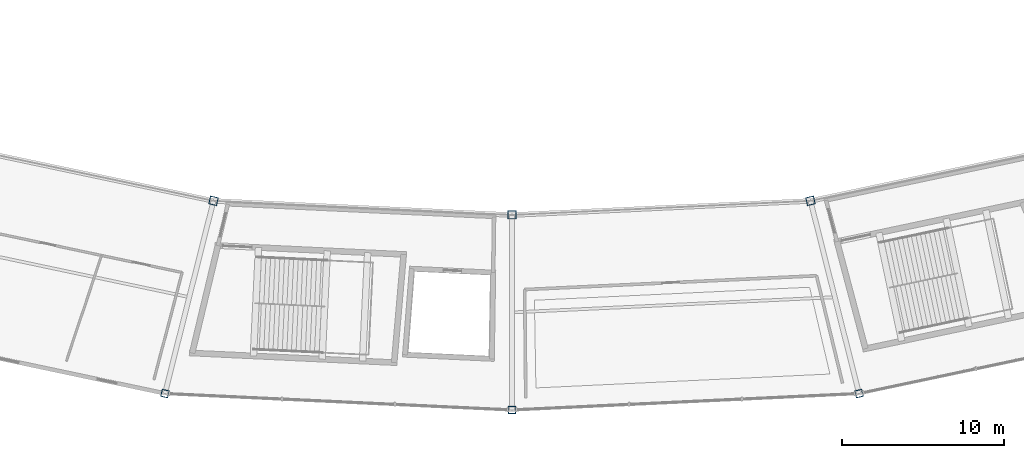
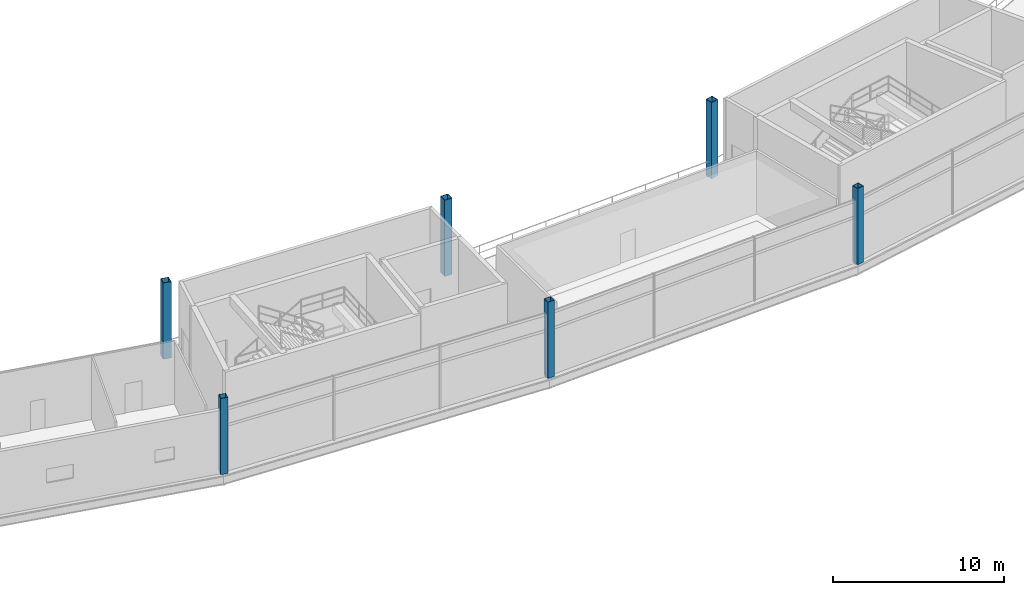
# One storey, part 3 of 103: 6 columns.
"""IFC4 building model written with IfcOpenShell, lengths in metres."""

from ifc_helpers import new_model, si_unit, direction, frame, origin, origin_2d, place, context, subcontext, project, spatial, hollow_rectangle, extrude, material, material_profile, profile_set, type_object, element, save


model = new_model("IFC4")

# Units and contexts
model_context = context("Model", 3, precision=1e-05, world=origin(), true_north=direction((0.0, 1.0)))
body_context = subcontext(model_context, "Body", "Model", "MODEL_VIEW")
ifc_project = project(units=[si_unit("LENGTHUNIT", "METRE"), si_unit("AREAUNIT", "SQUARE_METRE"), si_unit("VOLUMEUNIT", "CUBIC_METRE"), si_unit("PLANEANGLEUNIT", "RADIAN"), si_unit("MASSUNIT", "GRAM", prefix="KILO")], contexts=[model_context])

# Site, building, storey
site_placement = place(None, origin())
site = spatial("IfcSite", under=ifc_project, at=site_placement, CompositionType="ELEMENT")
building_placement = place(site_placement, origin())
building = spatial("IfcBuilding", under=site, at=building_placement, Name="Kazemori Nagisa Stadium", CompositionType="ELEMENT")
storey_placement = place(building_placement, frame((0.0, 0.0, 25.840087890625)))
storey = spatial("IfcBuildingStorey", under=building, at=storey_placement, Name="L05", CompositionType="ELEMENT", Elevation=25.840087890625)

# Columns
ifc_material = material(Name="Steel STKR490", Category="steel")
ifc_material_profile_1 = material_profile(ifc_material, hollow_rectangle(XDim=0.449951171875, YDim=0.449951171875, WallThickness=0.02197265625, at=origin_2d()), Name="SHS-450x450x22")
ifc_profile_set_1 = profile_set([ifc_material_profile_1], Name="Steel STKR490")
column_type_1 = type_object("IfcColumnType", Name="Column_C-ST450", PredefinedType="COLUMN", material=ifc_profile_set_1)
for number, where, z_axis, x_axis, name in (
    (1, (101.572265625, 17.01318359375, 0.0), (0.0, 0.0, 1.0), (-0.222520933954, -0.974927912182, 0.0), "Column C-ST450 L05 R3-21"),
    (2, (123.0, 16.0, 0.0), (0.0, 0.0, 1.0), (0.0, -1.0, 0.0), "Column C-ST450 L05 R3-22"),
    (3, (144.427734375, 17.01318359375, 0.0), (0.0, 0.0, 1.0), (0.222520933954, -0.974927912182, 0.0), "Column C-ST450 L05 R3-23"),
):
    element("IfcColumn", number, at=place(storey_placement, frame(where, z_axis=z_axis, x_axis=x_axis)), inside=storey, type_object=column_type_1, Name=name, PredefinedType="COLUMN", context=body_context, shape_type="SweptSolid", body=[
        extrude(hollow_rectangle(XDim=0.449951171875, YDim=0.449951171875, WallThickness=0.02197265625, at=origin_2d()), origin(), (0.0, 0.0, 1.0), 5.43994140625),
    ])
ifc_material_profile_2 = material_profile(ifc_material, hollow_rectangle(XDim=0.5, YDim=0.5, WallThickness=0.02197265625, at=origin_2d()), Name="SHS-500x500x22")
ifc_profile_set_2 = profile_set([ifc_material_profile_2], Name="Steel STKR490")
column_type_2 = type_object("IfcColumnType", Name="Column_C-ST500", PredefinedType="COLUMN", material=ifc_profile_set_2)
for number, where, z_axis, x_axis, name in (
    (4, (104.572265625, 28.911376953125, 0.0), (0.0, 0.0, 1.0), (-0.222520933954, -0.974927912182, 0.0), "Column C-ST500 L05 R2-21"),
    (5, (123.0, 28.0400390625, 0.0), (0.0, 0.0, 1.0), (0.0, -1.0, 0.0), "Column C-ST500 L05 R2-22"),
    (6, (141.427734375, 28.911376953125, 0.0), (0.0, 0.0, 1.0), (0.222520933954, -0.974927912182, 0.0), "Column C-ST500 L05 R2-23"),
):
    element("IfcColumn", number, at=place(storey_placement, frame(where, z_axis=z_axis, x_axis=x_axis)), inside=storey, type_object=column_type_2, Name=name, PredefinedType="COLUMN", context=body_context, shape_type="SweptSolid", body=[
        extrude(hollow_rectangle(XDim=0.5, YDim=0.5, WallThickness=0.02197265625, at=origin_2d()), origin(), (0.0, 0.0, 1.0), 5.43994140625),
    ])

save(model, "model.ifc")
